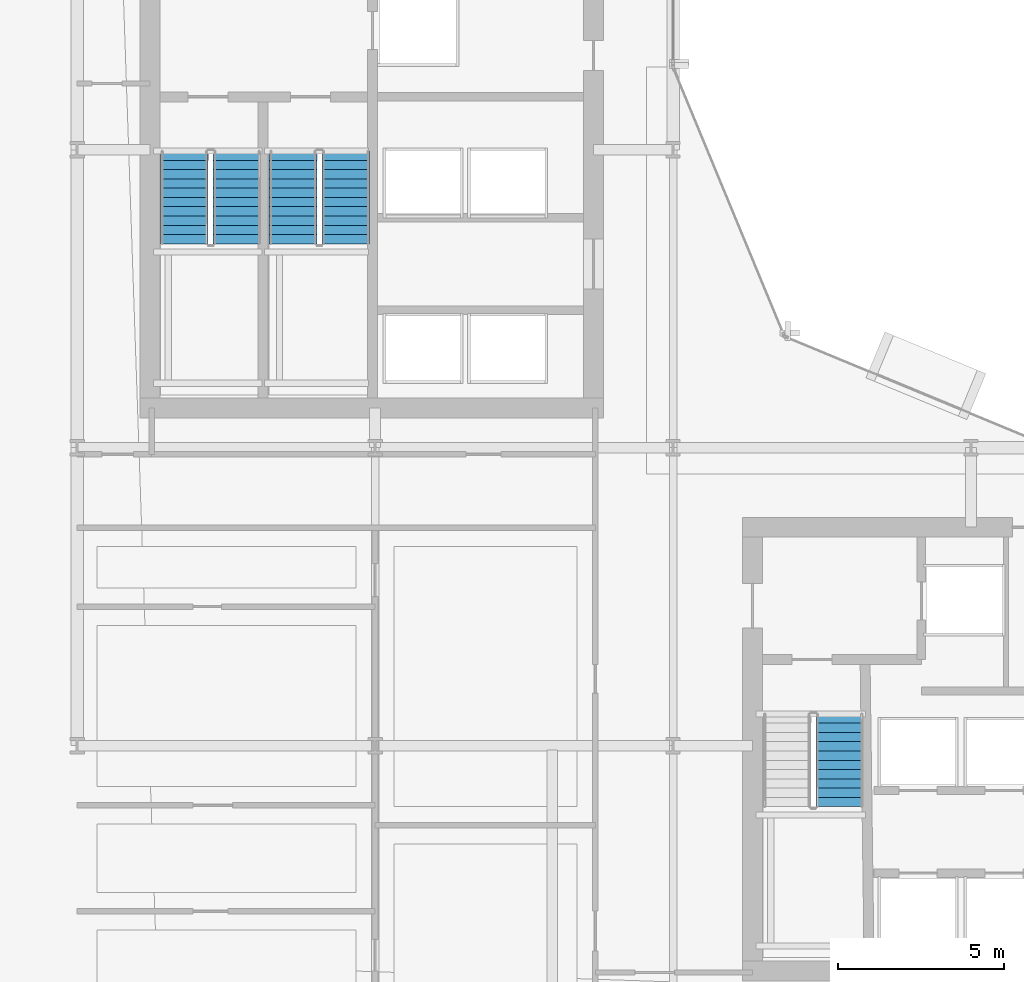
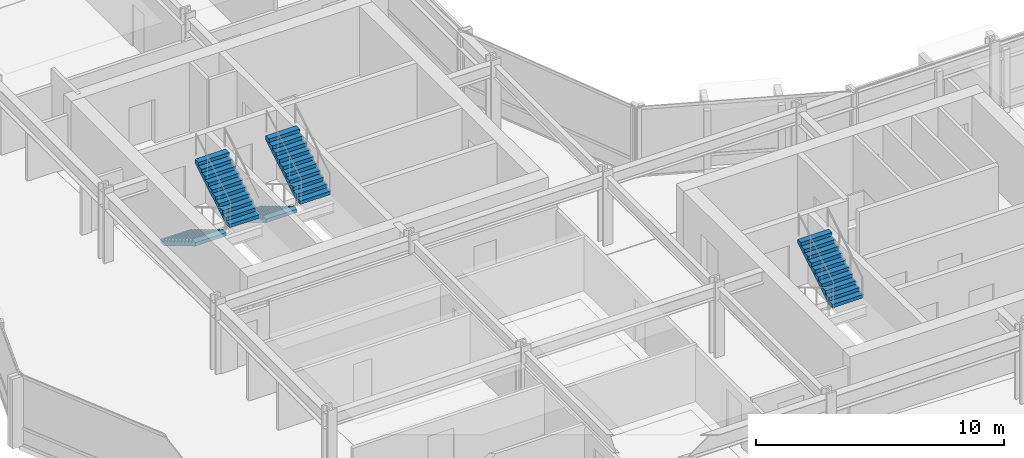
# One storey, part 29 of 34: 5 stair flights, 3 elements without a shape of their own.
"""IFC4 building model written with IfcOpenShell, lengths in metres."""

from ifc_helpers import new_model, si_unit, direction, frame, origin, place, context, subcontext, project, spatial, polyline, outline, extrude, material, layer, layer_set, type_object, element, aggregate, save


model = new_model("IFC4")

# Units and contexts
model_context = context("Model", 3, precision=1e-05, world=origin(), true_north=direction((0.0, 1.0)))
body_context = subcontext(model_context, "Body", "Model", "MODEL_VIEW")
ifc_project = project(units=[si_unit("LENGTHUNIT", "METRE"), si_unit("AREAUNIT", "SQUARE_METRE"), si_unit("VOLUMEUNIT", "CUBIC_METRE"), si_unit("PLANEANGLEUNIT", "RADIAN"), si_unit("MASSUNIT", "GRAM", prefix="KILO")], contexts=[model_context])

# Site, building, storey
site_placement = place(None, origin())
site = spatial("IfcSite", under=ifc_project, at=site_placement, CompositionType="ELEMENT")
building_placement = place(site_placement, origin())
building = spatial("IfcBuilding", under=site, at=building_placement, Name="Solvaryn Broadcast Tower", CompositionType="ELEMENT")
storey_placement = place(building_placement, frame((0.0, 0.0, 58.199951171875)))
storey = spatial("IfcBuildingStorey", under=building, at=storey_placement, Name="L13", CompositionType="ELEMENT", Elevation=58.199951171875)

# Stair, stair flights
ifc_material_1 = material(Name="Concrete f'c 60 MPa", Category="concrete")
stair_type = type_object("IfcStairType", Name="ST-CORE", PredefinedType="HALF_TURN_STAIR", material=ifc_material_1)
stair_1_placement = place(storey_placement, origin())
stair_1 = element("IfcStair", 1, at=stair_1_placement, inside=storey, type_object=stair_type, Name="L13 ST1", PredefinedType="HALF_TURN_STAIR")
ifc_material_2 = material(Name="Concrete f'c 60 MPa", Category="concrete")
ifc_layer = layer(ifc_material_2, 0.159912109375)
ifc_layer_set = layer_set([ifc_layer], Name="SF-CORE")
stair_flight_type = type_object("IfcStairFlightType", Name="SF-CORE", PredefinedType="STRAIGHT", material=ifc_layer_set)
stair_flight_1_placement = place(storey_placement, frame((12.239990234375, 35.9599609375, 0.0), z_axis=(0.0, 0.0, 1.0), x_axis=(0.0, -1.0, 0.0)))
stair_flight_1 = element("IfcStairFlight", 2, at=stair_flight_1_placement, type_object=stair_flight_type, Name="ST1 flight 1", NumberOfRisers=11, NumberOfTreads=10, PredefinedType="STRAIGHT", RiserHeight=0.168181818, TreadLength=0.28, context=body_context, shape_type="SweptSolid", body=[
    extrude(outline(polyline([(0.0, 0.0), (0.0, 0.168212890625), (0.280029296875, 0.168212890625), (0.280029296875, 0.33642578125), (0.56005859375, 0.33642578125), (0.56005859375, 0.504638671875), (0.840087890625, 0.504638671875), (0.840087890625, 0.672607421875), (1.1201171875, 0.672607421875), (1.1201171875, 0.8408203125), (1.39990234375, 0.8408203125), (1.39990234375, 1.009033203125), (1.679931640625, 1.009033203125), (1.679931640625, 1.17724609375), (1.9599609375, 1.17724609375), (1.9599609375, 1.345458984375), (2.239990234375, 1.345458984375), (2.239990234375, 1.513671875), (2.52001953125, 1.513671875), (2.52001953125, 1.681884765625), (2.800048828125, 1.681884765625), (2.800048828125, 1.85009765625), (2.800048828125, 1.5068359375), (0.291015625, 0.0), (0.0, 0.0)])), frame((0.0, 0.719970703125, 0.0), z_axis=(0.0, -1.0, 0.0), x_axis=(1.0, 0.0, 0.0)), (0.0, 0.0, 1.0), 1.43994140625),
])
stair_flight_2_placement = place(storey_placement, frame((13.830078125, 33.159912109375, 1.85009765625), z_axis=(0.0, 0.0, 1.0), x_axis=(0.0, 1.0, 0.0)))
stair_flight_2 = element("IfcStairFlight", 3, at=stair_flight_2_placement, type_object=stair_flight_type, Name="ST1 flight 2", NumberOfRisers=11, NumberOfTreads=10, PredefinedType="STRAIGHT", RiserHeight=0.168181818, TreadLength=0.28, context=body_context, shape_type="SweptSolid", body=[
    extrude(outline(polyline([(0.0, 0.0), (0.0, 0.168212890625), (0.280029296875, 0.168212890625), (0.280029296875, 0.33642578125), (0.56005859375, 0.33642578125), (0.56005859375, 0.504638671875), (0.840087890625, 0.504638671875), (0.840087890625, 0.672607421875), (1.1201171875, 0.672607421875), (1.1201171875, 0.8408203125), (1.39990234375, 0.8408203125), (1.39990234375, 1.009033203125), (1.679931640625, 1.009033203125), (1.679931640625, 1.17724609375), (1.9599609375, 1.17724609375), (1.9599609375, 1.345458984375), (2.239990234375, 1.345458984375), (2.239990234375, 1.513671875), (2.52001953125, 1.513671875), (2.52001953125, 1.681884765625), (2.800048828125, 1.681884765625), (2.800048828125, 1.85009765625), (2.800048828125, 1.5068359375), (0.291015625, 0.0), (0.0, 0.0)])), frame((0.0, 0.719970703125, 0.0), z_axis=(0.0, -1.0, 0.0), x_axis=(1.0, 0.0, 0.0)), (0.0, 0.0, 1.0), 1.43994140625),
])
aggregate(stair_1, [stair_flight_1, stair_flight_2])

stair_2_placement = place(storey_placement, origin())
stair_2 = element("IfcStair", 4, at=stair_2_placement, inside=storey, type_object=stair_type, Name="L13 ST2", PredefinedType="HALF_TURN_STAIR")
stair_flight_3_placement = place(storey_placement, frame((15.52001953125, 35.9599609375, 0.0), z_axis=(0.0, 0.0, 1.0), x_axis=(0.0, -1.0, 0.0)))
stair_flight_3 = element("IfcStairFlight", 5, at=stair_flight_3_placement, type_object=stair_flight_type, Name="ST2 flight 1", NumberOfRisers=11, NumberOfTreads=10, PredefinedType="STRAIGHT", RiserHeight=0.168181818, TreadLength=0.28, context=body_context, shape_type="SweptSolid", body=[
    extrude(outline(polyline([(0.0, 0.0), (0.0, 0.168212890625), (0.280029296875, 0.168212890625), (0.280029296875, 0.33642578125), (0.56005859375, 0.33642578125), (0.56005859375, 0.504638671875), (0.840087890625, 0.504638671875), (0.840087890625, 0.672607421875), (1.1201171875, 0.672607421875), (1.1201171875, 0.8408203125), (1.39990234375, 0.8408203125), (1.39990234375, 1.009033203125), (1.679931640625, 1.009033203125), (1.679931640625, 1.17724609375), (1.9599609375, 1.17724609375), (1.9599609375, 1.345458984375), (2.239990234375, 1.345458984375), (2.239990234375, 1.513671875), (2.52001953125, 1.513671875), (2.52001953125, 1.681884765625), (2.800048828125, 1.681884765625), (2.800048828125, 1.85009765625), (2.800048828125, 1.5068359375), (0.291015625, 0.0), (0.0, 0.0)])), frame((0.0, 0.719970703125, 0.0), z_axis=(0.0, -1.0, 0.0), x_axis=(1.0, 0.0, 0.0)), (0.0, 0.0, 1.0), 1.43994140625),
])
stair_flight_4_placement = place(storey_placement, frame((17.110107421875, 33.159912109375, 1.85009765625), z_axis=(0.0, 0.0, 1.0), x_axis=(0.0, 1.0, 0.0)))
stair_flight_4 = element("IfcStairFlight", 6, at=stair_flight_4_placement, type_object=stair_flight_type, Name="ST2 flight 2", NumberOfRisers=11, NumberOfTreads=10, PredefinedType="STRAIGHT", RiserHeight=0.168181818, TreadLength=0.28, context=body_context, shape_type="SweptSolid", body=[
    extrude(outline(polyline([(0.0, 0.0), (0.0, 0.168212890625), (0.280029296875, 0.168212890625), (0.280029296875, 0.33642578125), (0.56005859375, 0.33642578125), (0.56005859375, 0.504638671875), (0.840087890625, 0.504638671875), (0.840087890625, 0.672607421875), (1.1201171875, 0.672607421875), (1.1201171875, 0.8408203125), (1.39990234375, 0.8408203125), (1.39990234375, 1.009033203125), (1.679931640625, 1.009033203125), (1.679931640625, 1.17724609375), (1.9599609375, 1.17724609375), (1.9599609375, 1.345458984375), (2.239990234375, 1.345458984375), (2.239990234375, 1.513671875), (2.52001953125, 1.513671875), (2.52001953125, 1.681884765625), (2.800048828125, 1.681884765625), (2.800048828125, 1.85009765625), (2.800048828125, 1.5068359375), (0.291015625, 0.0), (0.0, 0.0)])), frame((0.0, 0.719970703125, 0.0), z_axis=(0.0, -1.0, 0.0), x_axis=(1.0, 0.0, 0.0)), (0.0, 0.0, 1.0), 1.43994140625),
])
aggregate(stair_2, [stair_flight_3, stair_flight_4])

# Stair, stair flight
stair_3_placement = place(storey_placement, origin())
stair_3 = element("IfcStair", 7, at=stair_3_placement, inside=storey, type_object=stair_type, Name="L13 ST3", PredefinedType="HALF_TURN_STAIR")
stair_flight_5_placement = place(storey_placement, frame((32.030029296875, 16.159912109375, 1.85009765625), z_axis=(0.0, 0.0, 1.0), x_axis=(0.0, 1.0, 0.0)))
stair_flight_5 = element("IfcStairFlight", 8, at=stair_flight_5_placement, type_object=stair_flight_type, Name="ST3 flight 2", NumberOfRisers=11, NumberOfTreads=10, PredefinedType="STRAIGHT", RiserHeight=0.168181818, TreadLength=0.28, context=body_context, shape_type="SweptSolid", body=[
    extrude(outline(polyline([(0.0, 0.0), (0.0, 0.168212890625), (0.280029296875, 0.168212890625), (0.280029296875, 0.33642578125), (0.56005859375, 0.33642578125), (0.56005859375, 0.504638671875), (0.840087890625, 0.504638671875), (0.840087890625, 0.672607421875), (1.1201171875, 0.672607421875), (1.1201171875, 0.8408203125), (1.39990234375, 0.8408203125), (1.39990234375, 1.009033203125), (1.679931640625, 1.009033203125), (1.679931640625, 1.17724609375), (1.9599609375, 1.17724609375), (1.9599609375, 1.345458984375), (2.239990234375, 1.345458984375), (2.239990234375, 1.513671875), (2.52001953125, 1.513671875), (2.52001953125, 1.681884765625), (2.800048828125, 1.681884765625), (2.800048828125, 1.85009765625), (2.800048828125, 1.5068359375), (0.291015625, 0.0), (0.0, 0.0)])), frame((0.0, 0.719970703125, 0.0), z_axis=(0.0, -1.0, 0.0), x_axis=(1.0, 0.0, 0.0)), (0.0, 0.0, 1.0), 1.43994140625),
])
aggregate(stair_3, [stair_flight_5])

save(model, "model.ifc")
